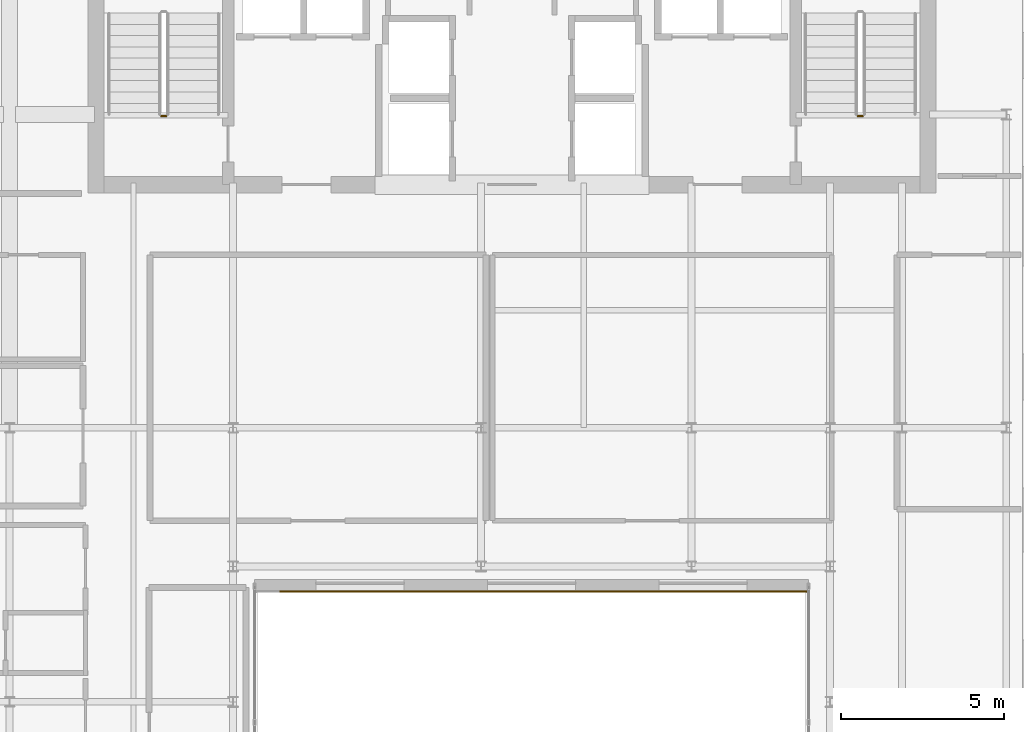
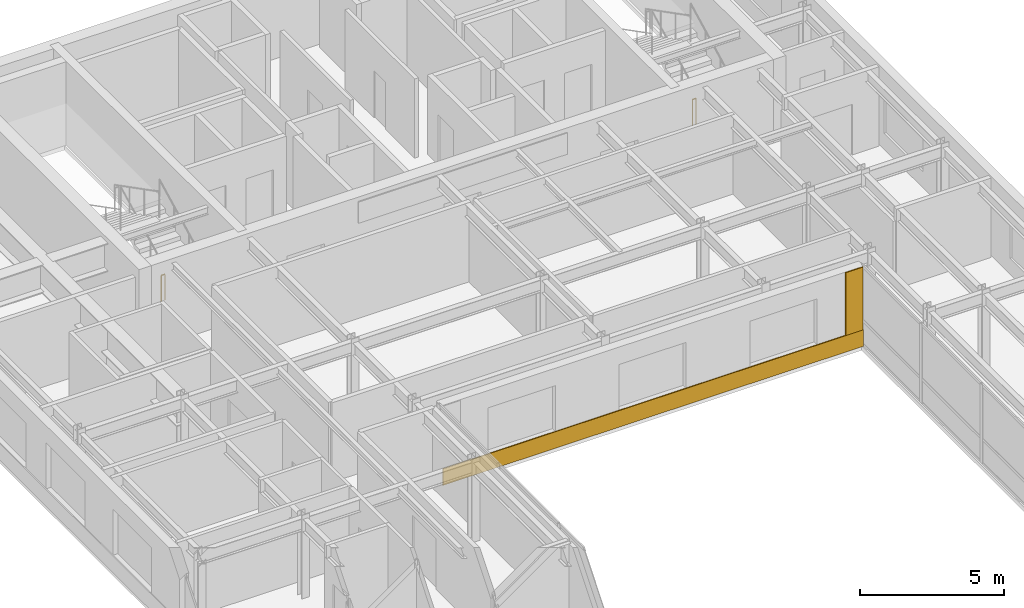
# One storey, part 18 of 20: 2 coverings, 2 railings.
"""IFC4 building model written with IfcOpenShell, lengths in metres."""

from ifc_helpers import new_model, si_unit, direction, frame, origin, origin_2d, place, context, subcontext, project, spatial, polyline, circle, outline, extrude, material, layer, layer_set, type_object, element, save


model = new_model("IFC4")

# Units and contexts
model_context = context("Model", 3, precision=1e-05, world=origin(), true_north=direction((0.0, 1.0)))
body_context = subcontext(model_context, "Body", "Model", "MODEL_VIEW")
ifc_project = project(units=[si_unit("LENGTHUNIT", "METRE"), si_unit("AREAUNIT", "SQUARE_METRE"), si_unit("VOLUMEUNIT", "CUBIC_METRE"), si_unit("PLANEANGLEUNIT", "RADIAN"), si_unit("MASSUNIT", "GRAM", prefix="KILO")], contexts=[model_context])

# Site, building, storey
site_placement = place(None, origin())
site = spatial("IfcSite", under=ifc_project, at=site_placement, CompositionType="ELEMENT")
building_placement = place(site_placement, origin())
building = spatial("IfcBuilding", under=site, at=building_placement, Name="Tolvann Quenvar Hotel", CompositionType="ELEMENT")
storey_placement = place(building_placement, frame((0.0, 0.0, 248.75)))
storey = spatial("IfcBuildingStorey", under=building, at=storey_placement, Name="L66", CompositionType="ELEMENT", Elevation=248.75)

# Coverings
ifc_material_1 = material(Name="Kiln-fired red architectural face brick cladding", Category="masonry")
ifc_layer_1 = layer(ifc_material_1, 0.0400390625)
ifc_layer_set_1 = layer_set([ifc_layer_1], Name="Kiln-fired red architectural face brick cladding")
covering_type_1 = type_object("IfcCoveringType", Name="COV_CLAD_BRICK_40", PredefinedType="CLADDING", material=ifc_layer_set_1)
covering_1_placement = place(storey_placement, frame((0.0, 0.0, 0.699951171875)))
element("IfcCovering", 1, at=covering_1_placement, inside=storey, type_object=covering_type_1, Name="Brick Pier Cladding (L66-E06-P2)", PredefinedType="CLADDING", context=body_context, shape_type="SweptSolid", body=[
    extrude(outline(polyline([(31.340087890625, 19.39990234375), (32.0400390625, 19.39990234375), (32.0400390625, 19.360107421875), (31.340087890625, 19.360107421875), (31.340087890625, 19.39990234375)])), origin(), (0.0, 0.0, 1.0), 2.670166015625),
])
ifc_material_2 = material(Name="Moulded buff architectural terracotta spandrel cladding", Category="masonry")
ifc_layer_2 = layer(ifc_material_2, 0.0400390625)
ifc_layer_set_2 = layer_set([ifc_layer_2], Name="Moulded buff architectural terracotta spandrel cladding")
covering_type_2 = type_object("IfcCoveringType", Name="COV_CLAD_TERRA_40", PredefinedType="CLADDING", material=ifc_layer_set_2)
covering_2_placement = place(storey_placement, origin())
element("IfcCovering", 2, at=covering_2_placement, inside=storey, type_object=covering_type_2, Name="Terracotta Spandrel Cladding (L66-E06)", PredefinedType="CLADDING", context=body_context, shape_type="SweptSolid", body=[
    extrude(outline(polyline([(15.14990234375, 19.39990234375), (32.050048828125, 19.39990234375), (32.050048828125, 19.360107421875), (15.14990234375, 19.360107421875), (15.14990234375, 19.39990234375)])), origin(), (0.0, 0.0, 1.0), 0.699951171875),
])

# Railings
ifc_material_3 = material(Name="Brushed 316 stainless steel balustrade and handrail", Category="steel")
railing_type = type_object("IfcRailingType", Name="GUARDRAIL", PredefinedType="GUARDRAIL", material=ifc_material_3)
for number, where, name in (
    (3, (12.39990234375, 33.949951171875, 0.0), "L66 ST-C1 stair guard 4"),
    (4, (33.75, 33.949951171875, 0.0), "L66 ST-C2 stair guard 4"),
):
    element("IfcRailing", number, at=place(storey_placement, frame(where)), inside=storey, type_object=railing_type, Name=name, PredefinedType="GUARDRAIL", context=body_context, shape_type="SweptSolid", body=[
        extrude(circle(Radius=0.02392578125, at=origin_2d()), frame((0.0, 0.0, 1.09619140625), z_axis=(-1.0, 0.0, 0.0), x_axis=(0.0, -1.0, 0.0)), (0.0, 0.0, 1.0), 0.14990234375),
        extrude(circle(Radius=0.02099609375, at=origin_2d()), origin(), (0.0, 0.0, 1.0), 1.072021484375),
        extrude(circle(Radius=0.02099609375, at=origin_2d()), frame((-0.14990234375, 0.0, 0.0)), (0.0, 0.0, 1.0), 1.072021484375),
    ])

save(model, "model.ifc")
